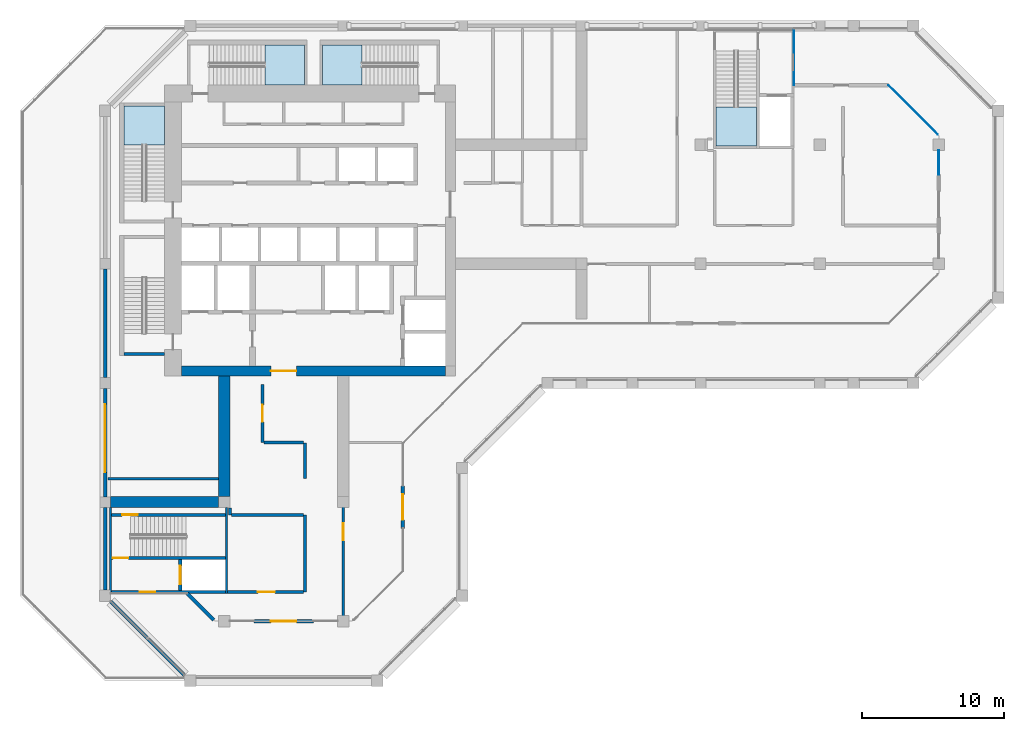
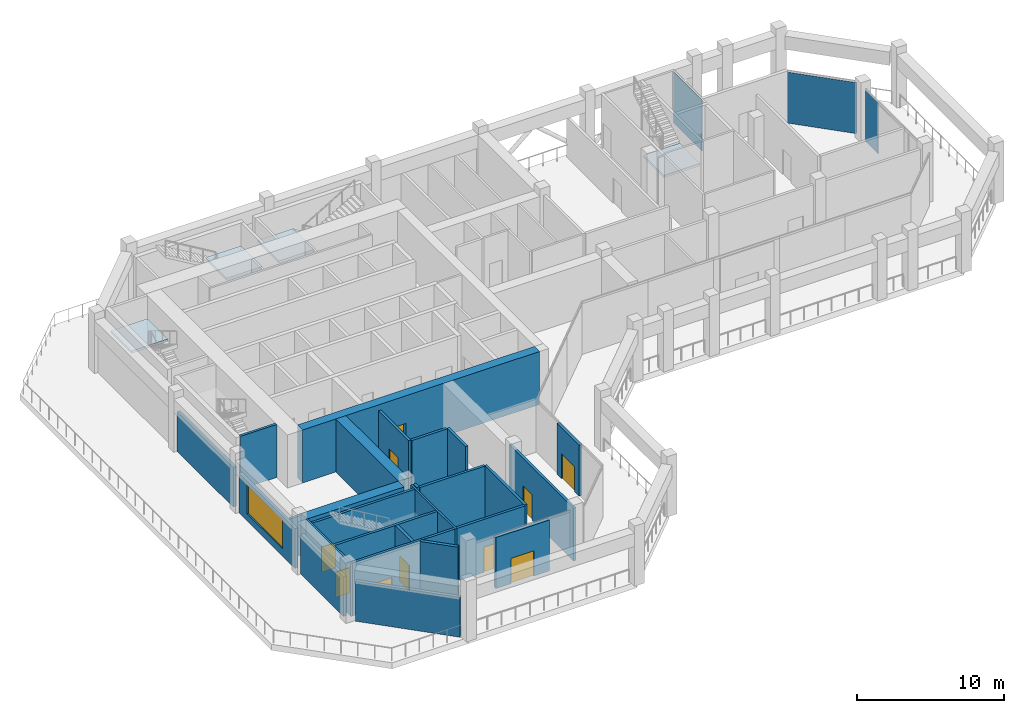
# One storey, part 6 of 16: 26 walls, 10 doors, 4 slabs, 3 plates, 1 window, 11 openings, 7 elements without a shape of their own.
"""IFC4 building model written with IfcOpenShell, lengths in metres."""

from ifc_helpers import new_model, si_unit, direction, frame, frame_2d, origin, origin_2d, place, context, subcontext, project, spatial, polyline, rectangle, outline, extrude, material, layer, layer_set, type_object, element, fill, aggregate, save


model = new_model("IFC4")

# Units and contexts
model_context = context("Model", 3, precision=1e-05, world=origin(), true_north=direction((0.0, 1.0)))
body_context = subcontext(model_context, "Body", "Model", "MODEL_VIEW")
ifc_project = project(units=[si_unit("LENGTHUNIT", "METRE"), si_unit("AREAUNIT", "SQUARE_METRE"), si_unit("VOLUMEUNIT", "CUBIC_METRE"), si_unit("PLANEANGLEUNIT", "RADIAN"), si_unit("MASSUNIT", "GRAM", prefix="KILO")], contexts=[model_context])

# Site, building, storey
site_placement = place(None, origin())
site = spatial("IfcSite", under=ifc_project, at=site_placement, CompositionType="ELEMENT")
building_placement = place(site_placement, origin())
building = spatial("IfcBuilding", under=site, at=building_placement, Name="Kawkab Arch Medical Tower", CompositionType="ELEMENT")
storey_placement = place(building_placement, frame((0.0, 0.0, 272.60009765625)))
storey = spatial("IfcBuildingStorey", under=building, at=storey_placement, Name="L63", CompositionType="ELEMENT", Elevation=272.60009765625)

# Curtain wall, plate
ifc_material_1 = material(Name="Bronze anodised aluminium curtain wall frame", Category="aluminium")
ifc_layer_1 = layer(ifc_material_1, 0.159912109375)
ifc_layer_set_1 = layer_set([ifc_layer_1], Name="Bronze anodised aluminium curtain wall frame")
curtain_wall_type = type_object("IfcCurtainWallType", Name="CW4 refuge floor fire-protected glazing", PredefinedType="NOTDEFINED", material=ifc_layer_set_1)
placement_1 = place(storey_placement, origin())
curtain_wall_1 = element("IfcCurtainWall", 1, at=placement_1, inside=storey, type_object=curtain_wall_type, Name="CW4 Refuge floor fire-protected glazing R15", PredefinedType="NOTDEFINED")
ifc_material_2 = material(Name="Fire-resisting laminated glass", Category="glass")
ifc_layer_2 = layer(ifc_material_2, 0.0400390625)
ifc_layer_set_2 = layer_set([ifc_layer_2], Name="Fire-resisting laminated glass")
plate_type = type_object("IfcPlateType", Name="CW4 glazing unit 40", PredefinedType="CURTAIN_PANEL", material=ifc_layer_set_2)
plate_1_placement = place(storey_placement, frame((58.800048828125, -9.64990234375, 0.0), z_axis=(0.0, 0.0, 1.0), x_axis=(0.0, 1.0, 0.0)))
plate_1 = element("IfcPlate", 2, at=plate_1_placement, type_object=plate_type, Name="CW4 glazing unit 1.3", PredefinedType="CURTAIN_PANEL", context=body_context, shape_type="SweptSolid", body=[
    extrude(rectangle(XDim=1.699951171875, YDim=0.0400390625, at=origin_2d()), origin(), (0.0, 0.0, 1.0), 4.239990234375),
])
aggregate(curtain_wall_1, [plate_1])

curtain_wall_2 = element("IfcCurtainWall", 3, at=placement_1, inside=storey, type_object=curtain_wall_type, Name="CW4 Refuge floor fire-protected glazing R16", PredefinedType="NOTDEFINED")
plate_2_placement = place(storey_placement, frame((56.9951171875, -5.93505859375, 0.0), z_axis=(0.0, 0.0, 1.0), x_axis=(-0.707106781187, 0.707106781187, 0.0)))
plate_2 = element("IfcPlate", 4, at=plate_2_placement, type_object=plate_type, Name="CW4 glazing unit 1.1", PredefinedType="CURTAIN_PANEL", context=body_context, shape_type="SweptSolid", body=[
    extrude(rectangle(XDim=4.9072265625, YDim=0.0400390625, at=origin_2d()), origin(), (0.0, 0.0, 1.0), 4.239990234375),
])
aggregate(curtain_wall_2, [plate_2])

curtain_wall_3 = element("IfcCurtainWall", 5, at=placement_1, inside=storey, type_object=curtain_wall_type, Name="CW4 Refuge floor fire-protected glazing R18", PredefinedType="NOTDEFINED")
plate_3_placement = place(storey_placement, frame((48.60107421875, -2.25, 0.0), z_axis=(0.0, 0.0, 1.0), x_axis=(0.0, 1.0, 0.0)))
plate_3 = element("IfcPlate", 6, at=plate_3_placement, type_object=plate_type, Name="CW4 glazing unit 1.1", PredefinedType="CURTAIN_PANEL", context=body_context, shape_type="SweptSolid", body=[
    extrude(rectangle(XDim=3.89990234375, YDim=0.0400390625, at=origin_2d()), origin(), (0.0, 0.0, 1.0), 4.239990234375),
])
aggregate(curtain_wall_3, [plate_3])

# Stair, slab
ifc_material_3 = material(Name="Concrete C40/50", Category="concrete")
stair_type = type_object("IfcStairType", Name="Exit stair 1350", PredefinedType="HALF_TURN_STAIR", material=ifc_material_3)
stair_1 = element("IfcStair", 7, at=placement_1, inside=storey, type_object=stair_type, Name="L63 Exit stair ST1", PredefinedType="HALF_TURN_STAIR")
ifc_material_4 = material(Name="Concrete C40/50", Category="concrete")
ifc_layer_3 = layer(ifc_material_4, 0.199951171875)
ifc_layer_set_3 = layer_set([ifc_layer_3], Name="Concrete C40/50")
slab_type = type_object("IfcSlabType", Name="Exit stair landing 200", PredefinedType="LANDING", material=ifc_layer_set_3)
placement_2 = place(storey_placement, frame((0.0, 0.0, 2.2998046875)))
slab_1 = element("IfcSlab", 8, at=placement_2, type_object=slab_type, Name="ST1 landing 1", PredefinedType="LANDING", context=body_context, shape_type="SweptSolid", body=[
    extrude(outline(polyline([(4.199951171875, -8.429931640625), (4.199951171875, -5.64990234375), (1.35009765625, -5.64990234375), (1.35009765625, -8.429931640625), (4.199951171875, -8.429931640625)])), origin(), (0.0, 0.0, 1.0), 0.2001953125),
])
aggregate(stair_1, [slab_1])

stair_2 = element("IfcStair", 9, at=placement_1, inside=storey, type_object=stair_type, Name="L63 Exit stair ST3", PredefinedType="HALF_TURN_STAIR")
slab_2 = element("IfcSlab", 10, at=placement_2, type_object=slab_type, Name="ST3 landing 1", PredefinedType="LANDING", context=body_context, shape_type="SweptSolid", body=[
    extrude(outline(polyline([(11.27001953125, -4.199951171875), (14.050048828125, -4.199951171875), (14.050048828125, -1.35009765625), (11.27001953125, -1.35009765625), (11.27001953125, -4.199951171875)])), origin(), (0.0, 0.0, 1.0), 0.2001953125),
])
aggregate(stair_2, [slab_2])

stair_3 = element("IfcStair", 11, at=placement_1, inside=storey, type_object=stair_type, Name="L63 Exit stair ST4", PredefinedType="HALF_TURN_STAIR")
slab_3 = element("IfcSlab", 12, at=placement_2, type_object=slab_type, Name="ST4 landing 1", PredefinedType="LANDING", context=body_context, shape_type="SweptSolid", body=[
    extrude(outline(polyline([(18.1298828125, -1.35009765625), (15.35009765625, -1.35009765625), (15.35009765625, -4.199951171875), (18.1298828125, -4.199951171875), (18.1298828125, -1.35009765625)])), origin(), (0.0, 0.0, 1.0), 0.2001953125),
])
aggregate(stair_3, [slab_3])

stair_4 = element("IfcStair", 13, at=placement_1, inside=storey, type_object=stair_type, Name="L63 Exit stair ST5", PredefinedType="HALF_TURN_STAIR")
slab_4 = element("IfcSlab", 14, at=placement_2, type_object=slab_type, Name="ST5 landing 1", PredefinedType="LANDING", context=body_context, shape_type="SweptSolid", body=[
    extrude(outline(polyline([(43.10009765625, -5.719970703125), (43.10009765625, -8.5), (45.949951171875, -8.5), (45.949951171875, -5.719970703125), (43.10009765625, -5.719970703125)])), origin(), (0.0, 0.0, 1.0), 0.2001953125),
])
aggregate(stair_4, [slab_4])

# Walls
ifc_material_5 = material(Name="Concrete C40/50", Category="concrete")
ifc_layer_4 = layer(ifc_material_5, 0.800048828125)
ifc_layer_set_4 = layer_set([ifc_layer_4], Name="Concrete C40/50")
wall_type_1 = type_object("IfcWallType", Name="Belt wall 800 C40/50", PredefinedType="SHEAR", material=ifc_layer_set_4)
wall_1_placement = place(storey_placement, frame((8.39990234375, -24.699951171875, 0.0), z_axis=(0.0, 0.0, 1.0), x_axis=(0.0, -1.0, 0.0)))
element("IfcWall", 15, at=wall_1_placement, inside=storey, type_object=wall_type_1, Name="Belt wall BW-L63-5", PredefinedType="SHEAR", context=body_context, shape_type="SweptSolid", body=[
    extrude(rectangle(XDim=8.5, YDim=0.800048828125, at=frame_2d((4.25, 0.0))), origin(), (0.0, 0.0, 1.0), 4.39990234375),
])
wall_2_placement = place(storey_placement, frame((0.375, -33.60009765625, 0.0), z_axis=(0.0, 0.0, 1.0), x_axis=(1.0, 0.0, 0.0)))
element("IfcWall", 16, at=wall_2_placement, inside=storey, type_object=wall_type_1, Name="Belt wall BW-L63-7", PredefinedType="SHEAR", context=body_context, shape_type="SweptSolid", body=[
    extrude(rectangle(XDim=7.625, YDim=0.800048828125, at=frame_2d((3.8125, 0.0))), origin(), (0.0, 0.0, 1.0), 4.39990234375),
])

# Wall, opening, door
ifc_material_6 = material(Name="Concrete C50/60", Category="concrete")
ifc_layer_5 = layer(ifc_material_6, 0.699951171875)
ifc_layer_set_5 = layer_set([ifc_layer_5], Name="Concrete C50/60")
wall_type_2 = type_object("IfcWallType", Name="Core ring wall 700 C50/60", PredefinedType="SHEAR", material=ifc_layer_set_5)
wall_3_placement = place(storey_placement, frame((5.39990234375, -24.35009765625, 0.0), z_axis=(0.0, 0.0, 1.0), x_axis=(1.0, 0.0, 0.0)))
wall_3 = element("IfcWall", 17, at=wall_3_placement, inside=storey, type_object=wall_type_2, Name="L63 core wall", PredefinedType="SHEAR", context=body_context, shape_type="SweptSolid", body=[
    extrude(rectangle(XDim=18.60009765625, YDim=0.699951171875, at=frame_2d((9.300048828125, 0.0))), origin(), (0.0, 0.0, 1.0), 4.39990234375),
])
opening_1_placement = place(wall_3_placement, frame((6.300048828125, 0.0, 0.0)))
opening_1 = element("IfcOpeningElement", 18, at=opening_1_placement, cuts=wall_3, Name="Opening PD", PredefinedType="OPENING", context=body_context, shape_type="SweptSolid", body=[
    extrude(rectangle(XDim=1.800048828125, YDim=2.10009765625, at=frame_2d((0.89990234375, 1.050048828125))), frame((0.0, 0.35986328125, 0.0), z_axis=(0.0, -1.0, 0.0), x_axis=(1.0, 0.0, 0.0)), (0.0, 0.0, 1.0), 0.719970703125),
])
ifc_material_7 = material(Name="Hollow metal fire door leaf")
door_type_1 = type_object("IfcDoorType", Name="Core entrance doors 1800", OperationType="DOUBLE_DOOR_SINGLE_SWING", PredefinedType="DOOR", material=ifc_material_7)
door_1_placement = place(opening_1_placement, origin())
door_1 = element("IfcDoor", 19, at=door_1_placement, inside=storey, type_object=door_type_1, Name="L63 South entrance doors", OperationType="DOUBLE_DOOR_SINGLE_SWING", OverallHeight=2.10009765625, OverallWidth=1.800048828125, PredefinedType="DOOR", context=body_context, shape_type="SweptSolid", body=[
    extrude(rectangle(XDim=1.800048828125, YDim=2.10009765625, at=frame_2d((0.89990234375, 1.050048828125))), frame((0.0, 0.02490234375, 0.0), z_axis=(0.0, -1.0, 0.0), x_axis=(1.0, 0.0, 0.0)), (0.0, 0.0, 1.0), 0.050048828125),
])
fill(opening_1, door_1)

ifc_material_8 = material(Name="Concrete C60/75", Category="concrete")
ifc_layer_6 = layer(ifc_material_8, 0.25)
ifc_layer_set_6 = layer_set([ifc_layer_6], Name="Concrete C60/75")
wall_type_3 = type_object("IfcWallType", Name="Core shear wall 250 C60/75", PredefinedType="SHEAR", material=ifc_layer_set_6)
wall_4_placement = place(storey_placement, frame((5.300048828125, -39.85009765625, 0.0), z_axis=(0.0, 0.0, 1.0), x_axis=(0.0, 1.0, 0.0)))
wall_4 = element("IfcWall", 20, at=wall_4_placement, inside=storey, type_object=wall_type_3, Name="L63 core shear wall", PredefinedType="SHEAR", context=body_context, shape_type="SweptSolid", body=[
    extrude(rectangle(XDim=2.2001953125, YDim=0.25, at=frame_2d((1.10009765625, 0.0))), origin(), (0.0, 0.0, 1.0), 4.39990234375),
])
opening_2_placement = place(wall_4_placement, frame((0.449951171875, 0.0, 0.0)))
opening_2 = element("IfcOpeningElement", 21, at=opening_2_placement, cuts=wall_4, Name="Opening LD2", PredefinedType="OPENING", context=body_context, shape_type="SweptSolid", body=[
    extrude(rectangle(XDim=1.300048828125, YDim=2.10009765625, at=frame_2d((0.64990234375, 1.050048828125))), frame((0.0, 0.135009765625, 0.0), z_axis=(0.0, -1.0, 0.0), x_axis=(1.0, 0.0, 0.0)), (0.0, 0.0, 1.0), 0.27001953125),
])
ifc_material_9 = material(Name="Stainless steel lift door leaf", Category="steel")
door_type_2 = type_object("IfcDoorType", Name="Lift landing door 1300", OperationType="DOUBLE_DOOR_SLIDING", PredefinedType="DOOR", material=ifc_material_9)
door_2_placement = place(opening_2_placement, origin())
door_2 = element("IfcDoor", 22, at=door_2_placement, inside=storey, type_object=door_type_2, Name="L63 Lift landing door SV2", OperationType="DOUBLE_DOOR_SLIDING", OverallHeight=2.10009765625, OverallWidth=1.300048828125, PredefinedType="DOOR", context=body_context, shape_type="SweptSolid", body=[
    extrude(rectangle(XDim=1.300048828125, YDim=2.10009765625, at=frame_2d((0.64990234375, 1.050048828125))), frame((0.0, 0.02490234375, 0.0), z_axis=(0.0, -1.0, 0.0), x_axis=(1.0, 0.0, 0.0)), (0.0, 0.0, 1.0), 0.050048828125),
])
fill(opening_2, door_2)

# Wall
ifc_material_10 = material(Name="Bronze clad insulated wall panel")
ifc_layer_7 = layer(ifc_material_10, 0.25)
ifc_layer_set_7 = layer_set([ifc_layer_7], Name="Bronze clad insulated wall panel")
wall_type_4 = type_object("IfcWallType", Name="External wall bay 250", PredefinedType="SOLIDWALL", material=ifc_layer_set_7)
wall_5_placement = place(storey_placement, frame((0.0, -17.175048828125, 0.0), z_axis=(0.0, 0.0, 1.0), x_axis=(0.0, -1.0, 0.0)))
element("IfcWall", 23, at=wall_5_placement, inside=storey, type_object=wall_type_4, Name="Plant wall L63.R02.2", PredefinedType="SOLIDWALL", context=body_context, shape_type="SweptSolid", body=[
    extrude(rectangle(XDim=7.64990234375, YDim=0.25, at=frame_2d((3.824951171875, 0.0))), origin(), (0.0, 0.0, 1.0), 3.2998046875),
])

# Wall, opening, window
wall_6_placement = place(storey_placement, frame((0.0, -25.574951171875, 0.0), z_axis=(0.0, 0.0, 1.0), x_axis=(0.0, -1.0, 0.0)))
wall_6 = element("IfcWall", 24, at=wall_6_placement, inside=storey, type_object=wall_type_4, Name="Plant wall L63.R02.3", PredefinedType="SOLIDWALL", context=body_context, shape_type="SweptSolid", body=[
    extrude(rectangle(XDim=7.650146484375, YDim=0.25, at=frame_2d((3.8251953125, 0.0))), origin(), (0.0, 0.0, 1.0), 3.2998046875),
])
opening_3_placement = place(wall_6_placement, frame((1.125, 0.0, 0.60009765625)))
opening_3 = element("IfcOpeningElement", 25, at=opening_3_placement, cuts=wall_6, Name="Opening PW480-24-S6", PredefinedType="OPENING", context=body_context, shape_type="SweptSolid", body=[
    extrude(rectangle(XDim=4.800048828125, YDim=2.39990234375, at=frame_2d((2.39990234375, 1.199951171875))), frame((0.0, 0.135009765625, 0.0), z_axis=(0.0, -1.0, 0.0), x_axis=(1.0, 0.0, 0.0)), (0.0, 0.0, 1.0), 0.27001953125),
])
ifc_material_11 = material(Name="Bronze anodised aluminium louvred window", Category="aluminium")
window_type = type_object("IfcWindowType", Name="Plant louvre window 4800 x 2400 sill 600", PartitioningType="DOUBLE_PANEL_VERTICAL", PredefinedType="WINDOW", material=ifc_material_11)
window_placement = place(opening_3_placement, origin())
window = element("IfcWindow", 26, at=window_placement, inside=storey, type_object=window_type, Name="Plant louvre window L63.R02.3", OverallHeight=2.39990234375, OverallWidth=4.800048828125, PartitioningType="SINGLE_PANEL", PredefinedType="WINDOW", context=body_context, shape_type="SweptSolid", body=[
    extrude(rectangle(XDim=4.800048828125, YDim=2.39990234375, at=frame_2d((2.39990234375, 1.199951171875))), frame((0.0, 0.030029296875, 0.0), z_axis=(0.0, -1.0, 0.0), x_axis=(1.0, 0.0, 0.0)), (0.0, 0.0, 1.0), 0.06005859375),
])
fill(opening_3, window)

# Walls
wall_7_placement = place(storey_placement, frame((0.0, -33.97509765625, 0.0), z_axis=(0.0, 0.0, 1.0), x_axis=(0.0, -1.0, 0.0)))
element("IfcWall", 27, at=wall_7_placement, inside=storey, type_object=wall_type_4, Name="Plant wall L63.R02.4", PredefinedType="SOLIDWALL", context=body_context, shape_type="SweptSolid", body=[
    extrude(rectangle(XDim=5.824951171875, YDim=0.25, at=frame_2d((2.91259765625, 0.0))), origin(), (0.0, 0.0, 1.0), 3.2998046875),
])
wall_8_placement = place(storey_placement, frame((0.39990234375, -40.60009765625, 0.0), z_axis=(0.0, 0.0, 1.0), x_axis=(0.707123380132, -0.707090181851, 0.0)))
element("IfcWall", 28, at=wall_8_placement, inside=storey, type_object=wall_type_4, Name="Plant wall L63.R03.1", PredefinedType="SOLIDWALL", context=body_context, shape_type="SweptSolid", body=[
    extrude(rectangle(XDim=7.35400390625, YDim=0.25, at=frame_2d((3.677001953125, 0.0))), origin(), (0.0, 0.0, 1.0), 3.2998046875),
])
wall_9_placement = place(storey_placement, frame((5.7900390625, -40.050048828125, 0.0), z_axis=(0.0, 0.0, 1.0), x_axis=(0.707106781187, -0.707106781187, 0.0)))
element("IfcWall", 29, at=wall_9_placement, inside=storey, type_object=wall_type_4, Name="Plant wall L63.R08.1", PredefinedType="SOLIDWALL", context=body_context, shape_type="SweptSolid", body=[
    extrude(rectangle(XDim=2.658447265625, YDim=0.25, at=frame_2d((1.3291015625, 0.0))), origin(), (0.0, 0.0, 1.0), 4.39990234375),
])

# Wall, opening, door
wall_10_placement = place(storey_placement, frame((10.5, -42.0009765625, 0.0), z_axis=(0.0, 0.0, 1.0), x_axis=(1.0, 0.0, 0.0)))
wall_10 = element("IfcWall", 30, at=wall_10_placement, inside=storey, type_object=wall_type_4, Name="External wall bay L63.R09.1.2", PredefinedType="SOLIDWALL", context=body_context, shape_type="SweptSolid", body=[
    extrude(rectangle(XDim=4.199951171875, YDim=0.25, at=frame_2d((2.10009765625, 0.0))), origin(), (0.0, 0.0, 1.0), 4.239990234375),
])
opening_4_placement = place(wall_10_placement, frame((1.199951171875, 0.0, 0.0)))
opening_4 = element("IfcOpeningElement", 31, at=opening_4_placement, cuts=wall_10, Name="Opening PL3-701", PredefinedType="OPENING", context=body_context, shape_type="SweptSolid", body=[
    extrude(rectangle(XDim=1.800048828125, YDim=2.10009765625, at=frame_2d((0.89990234375, 1.050048828125))), frame((0.0, 0.135009765625, 0.0), z_axis=(0.0, -1.0, 0.0), x_axis=(1.0, 0.0, 0.0)), (0.0, 0.0, 1.0), 0.27001953125),
])
ifc_material_12 = material(Name="Bronze anodised aluminium door with tinted glass", Category="aluminium")
door_type_3 = type_object("IfcDoorType", Name="Double external door 1800 x 2100", OperationType="DOUBLE_DOOR_SINGLE_SWING", PredefinedType="DOOR", material=ifc_material_12)
door_3_placement = place(opening_4_placement, origin())
door_3 = element("IfcDoor", 32, at=door_3_placement, inside=storey, type_object=door_type_3, Name="External door L63.R09.1.2", OperationType="DOUBLE_DOOR_SINGLE_SWING", OverallHeight=2.10009765625, OverallWidth=1.800048828125, PredefinedType="DOOR", context=body_context, shape_type="SweptSolid", body=[
    extrude(rectangle(XDim=1.800048828125, YDim=2.10009765625, at=frame_2d((0.89990234375, 1.050048828125))), frame((0.0, 0.02490234375, 0.0), z_axis=(0.0, -1.0, 0.0), x_axis=(1.0, 0.0, 0.0)), (0.0, 0.0, 1.0), 0.050048828125),
])
fill(opening_4, door_3)

wall_11_placement = place(storey_placement, frame((21.0, -35.4599609375, 0.0), z_axis=(0.0, 0.0, 1.0), x_axis=(0.0, 1.0, 0.0)))
wall_11 = element("IfcWall", 33, at=wall_11_placement, inside=storey, type_object=wall_type_4, Name="External wall bay L63.R11.2.1", PredefinedType="SOLIDWALL", context=body_context, shape_type="SweptSolid", body=[
    extrude(rectangle(XDim=3.0, YDim=0.25, at=frame_2d((1.5, 0.0))), origin(), (0.0, 0.0, 1.0), 4.239990234375),
])
opening_5_placement = place(wall_11_placement, frame((0.60009765625, 0.0, 0.0)))
opening_5 = element("IfcOpeningElement", 34, at=opening_5_placement, cuts=wall_11, Name="Opening PL3-701", PredefinedType="OPENING", context=body_context, shape_type="SweptSolid", body=[
    extrude(rectangle(XDim=1.800048828125, YDim=2.10009765625, at=frame_2d((0.89990234375, 1.050048828125))), frame((0.0, 0.135009765625, 0.0), z_axis=(0.0, -1.0, 0.0), x_axis=(1.0, 0.0, 0.0)), (0.0, 0.0, 1.0), 0.27001953125),
])
door_4_placement = place(opening_5_placement, origin())
door_4 = element("IfcDoor", 35, at=door_4_placement, inside=storey, type_object=door_type_3, Name="External door L63.R11.2.1", OperationType="DOUBLE_DOOR_SINGLE_SWING", OverallHeight=2.10009765625, OverallWidth=1.800048828125, PredefinedType="DOOR", context=body_context, shape_type="SweptSolid", body=[
    extrude(rectangle(XDim=1.800048828125, YDim=2.10009765625, at=frame_2d((0.89990234375, 1.050048828125))), frame((0.0, 0.02490234375, 0.0), z_axis=(0.0, -1.0, 0.0), x_axis=(1.0, 0.0, 0.0)), (0.0, 0.0, 1.0), 0.050048828125),
])
fill(opening_5, door_4)

ifc_material_13 = material(Name="Fire-rated gypsum board partition on steel studs", Category="steel")
ifc_layer_8 = layer(ifc_material_13, 0.199951171875)
ifc_layer_set_8 = layer_set([ifc_layer_8], Name="Fire-rated gypsum board partition on steel studs")
wall_type_5 = type_object("IfcWallType", Name="Protected partition 200", PredefinedType="PARTITIONING", material=ifc_layer_set_8)
wall_12_placement = place(storey_placement, frame((8.64990234375, -39.949951171875, 0.0), z_axis=(0.0, 0.0, 1.0), x_axis=(1.0, 0.0, 0.0)))
wall_12 = element("IfcWall", 36, at=wall_12_placement, inside=storey, type_object=wall_type_5, Name="Protected partition 200 w016", PredefinedType="PARTITIONING", context=body_context, shape_type="SweptSolid", body=[
    extrude(rectangle(XDim=5.34912109375, YDim=0.199951171875, at=frame_2d((2.674560546875, 0.0))), origin(), (0.0, 0.0, 1.0), 4.39990234375),
])
opening_6_placement = place(wall_12_placement, frame((2.125, 0.0, 0.0)))
opening_6 = element("IfcOpeningElement", 37, at=opening_6_placement, cuts=wall_12, Name="Opening PL3-009", PredefinedType="OPENING", context=body_context, shape_type="SweptSolid", body=[
    extrude(rectangle(XDim=1.199951171875, YDim=2.10009765625, at=frame_2d((0.60009765625, 1.050048828125))), frame((0.0, 0.10986328125, 0.0), z_axis=(0.0, -1.0, 0.0), x_axis=(1.0, 0.0, 0.0)), (0.0, 0.0, 1.0), 0.219970703125),
])
ifc_material_14 = material(Name="Hollow metal door leaf")
door_type_4 = type_object("IfcDoorType", Name="Single door 1200x2100 FD60", OperationType="NOTDEFINED", PredefinedType="DOOR", material=ifc_material_14)
door_5_placement = place(opening_6_placement, origin())
door_5 = element("IfcDoor", 38, at=door_5_placement, inside=storey, type_object=door_type_4, Name="Door PL3-009", OperationType="SINGLE_SWING_RIGHT", OverallHeight=2.10009765625, OverallWidth=1.199951171875, PredefinedType="DOOR", context=body_context, shape_type="SweptSolid", body=[
    extrude(rectangle(XDim=1.199951171875, YDim=2.10009765625, at=frame_2d((0.60009765625, 1.050048828125))), frame((0.0, 0.02490234375, 0.0), z_axis=(0.0, -1.0, 0.0), x_axis=(1.0, 0.0, 0.0)), (0.0, 0.0, 1.0), 0.050048828125),
])
fill(opening_6, door_5)

# Walls
wall_13_placement = place(storey_placement, frame((8.89990234375, -34.5, 0.0), z_axis=(0.0, 0.0, 1.0), x_axis=(1.0, 0.0, 0.0)))
element("IfcWall", 39, at=wall_13_placement, inside=storey, type_object=wall_type_5, Name="Protected partition 200 w017", PredefinedType="PARTITIONING", context=body_context, shape_type="SweptSolid", body=[
    extrude(rectangle(XDim=5.09912109375, YDim=0.199951171875, at=frame_2d((2.549560546875, 0.0))), origin(), (0.0, 0.0, 1.0), 4.39990234375),
])
wall_14_placement = place(storey_placement, frame((0.199951171875, -31.95703125, 0.0), z_axis=(0.0, 0.0, 1.0), x_axis=(1.0, 0.0, 0.0)))
element("IfcWall", 40, at=wall_14_placement, inside=storey, type_object=wall_type_5, Name="Protected partition 200 w018", PredefinedType="PARTITIONING", context=body_context, shape_type="SweptSolid", body=[
    extrude(rectangle(XDim=7.801025390625, YDim=0.199951171875, at=frame_2d((3.900390625, 0.0))), origin(), (0.0, 0.0, 1.0), 3.2998046875),
])
wall_15_placement = place(storey_placement, frame((11.199951171875, -29.39990234375, 0.0), z_axis=(0.0, 0.0, 1.0), x_axis=(1.0, 0.0, 0.0)))
element("IfcWall", 41, at=wall_15_placement, inside=storey, type_object=wall_type_5, Name="Protected partition 200 w019", PredefinedType="PARTITIONING", context=body_context, shape_type="SweptSolid", body=[
    extrude(rectangle(XDim=2.780029296875, YDim=0.199951171875, at=frame_2d((1.39013671875, 0.0))), origin(), (0.0, 0.0, 1.0), 4.39990234375),
])
wall_16_placement = place(storey_placement, frame((8.800048828125, -34.5, 0.0), z_axis=(0.0, 0.0, 1.0), x_axis=(0.0, 1.0, 0.0)))
element("IfcWall", 42, at=wall_16_placement, inside=storey, type_object=wall_type_5, Name="Protected partition 200 w024", PredefinedType="PARTITIONING", context=body_context, shape_type="SweptSolid", body=[
    extrude(rectangle(XDim=0.4970703125, YDim=0.199951171875, at=frame_2d((0.24853515625, 0.0))), origin(), (0.0, 0.0, 1.0), 4.39990234375),
])

# Wall, opening, door
wall_17_placement = place(storey_placement, frame((11.10009765625, -29.39990234375, 0.0), z_axis=(0.0, 0.0, 1.0), x_axis=(0.0, 1.0, 0.0)))
wall_17 = element("IfcWall", 43, at=wall_17_placement, inside=storey, type_object=wall_type_5, Name="Protected partition 200 w025", PredefinedType="PARTITIONING", context=body_context, shape_type="SweptSolid", body=[
    extrude(rectangle(XDim=4.099853515625, YDim=0.199951171875, at=frame_2d((2.0498046875, 0.0))), origin(), (0.0, 0.0, 1.0), 4.39990234375),
])
opening_7_placement = place(wall_17_placement, frame((1.449951171875, 0.0, 0.0)))
opening_7 = element("IfcOpeningElement", 44, at=opening_7_placement, cuts=wall_17, Name="Opening PL3-011", PredefinedType="OPENING", context=body_context, shape_type="SweptSolid", body=[
    extrude(rectangle(XDim=1.199951171875, YDim=2.10009765625, at=frame_2d((0.60009765625, 1.050048828125))), frame((0.0, 0.10986328125, 0.0), z_axis=(0.0, -1.0, 0.0), x_axis=(1.0, 0.0, 0.0)), (0.0, 0.0, 1.0), 0.219970703125),
])
ifc_material_15 = material(Name="Hollow metal door leaf")
door_type_5 = type_object("IfcDoorType", Name="Single door 1200x2100 FD90", OperationType="NOTDEFINED", PredefinedType="DOOR", material=ifc_material_15)
door_6_placement = place(opening_7_placement, origin())
door_6 = element("IfcDoor", 45, at=door_6_placement, inside=storey, type_object=door_type_5, Name="Door PL3-011", OperationType="SINGLE_SWING_LEFT", OverallHeight=2.10009765625, OverallWidth=1.199951171875, PredefinedType="DOOR", context=body_context, shape_type="SweptSolid", body=[
    extrude(rectangle(XDim=1.199951171875, YDim=2.10009765625, at=frame_2d((0.60009765625, 1.050048828125))), frame((0.0, 0.02490234375, 0.0), z_axis=(0.0, -1.0, 0.0), x_axis=(1.0, 0.0, 0.0)), (0.0, 0.0, 1.0), 0.050048828125),
])
fill(opening_7, door_6)

# Walls
wall_18_placement = place(storey_placement, frame((14.10009765625, -39.947998046875, 0.0), z_axis=(0.0, 0.0, 1.0), x_axis=(0.0, 1.0, 0.0)))
element("IfcWall", 46, at=wall_18_placement, inside=storey, type_object=wall_type_5, Name="Protected partition 200 w026", PredefinedType="PARTITIONING", context=body_context, shape_type="SweptSolid", body=[
    extrude(rectangle(XDim=5.446044921875, YDim=0.199951171875, at=frame_2d((2.72314453125, 0.0))), origin(), (0.0, 0.0, 1.0), 4.39990234375),
])
wall_19_placement = place(storey_placement, frame((14.10009765625, -31.93701171875, 0.0), z_axis=(0.0, 0.0, 1.0), x_axis=(0.0, 1.0, 0.0)))
element("IfcWall", 47, at=wall_19_placement, inside=storey, type_object=wall_type_5, Name="Protected partition 200 w027", PredefinedType="PARTITIONING", context=body_context, shape_type="SweptSolid", body=[
    extrude(rectangle(XDim=2.51708984375, YDim=0.199951171875, at=frame_2d((1.258544921875, 0.0))), origin(), (0.0, 0.0, 1.0), 4.39990234375),
])

# Wall, opening, door
wall_20_placement = place(storey_placement, frame((16.800048828125, -41.9208984375, 0.0), z_axis=(0.0, 0.0, 1.0), x_axis=(0.0, 1.0, 0.0)))
wall_20 = element("IfcWall", 48, at=wall_20_placement, inside=storey, type_object=wall_type_5, Name="Protected partition 200 w028", PredefinedType="PARTITIONING", context=body_context, shape_type="SweptSolid", body=[
    extrude(rectangle(XDim=8.720947265625, YDim=0.199951171875, at=frame_2d((4.3603515625, 0.0))), origin(), (0.0, 0.0, 1.0), 4.39990234375),
])
opening_8_placement = place(wall_20_placement, frame((5.6201171875, 0.0, 0.0)))
opening_8 = element("IfcOpeningElement", 49, at=opening_8_placement, cuts=wall_20, Name="Opening PL3-010", PredefinedType="OPENING", context=body_context, shape_type="SweptSolid", body=[
    extrude(rectangle(XDim=1.199951171875, YDim=2.10009765625, at=frame_2d((0.60009765625, 1.050048828125))), frame((0.0, 0.10986328125, 0.0), z_axis=(0.0, -1.0, 0.0), x_axis=(1.0, 0.0, 0.0)), (0.0, 0.0, 1.0), 0.219970703125),
])
door_7_placement = place(opening_8_placement, origin())
door_7 = element("IfcDoor", 50, at=door_7_placement, inside=storey, type_object=door_type_4, Name="Door PL3-010", OperationType="SINGLE_SWING_LEFT", OverallHeight=2.10009765625, OverallWidth=1.199951171875, PredefinedType="DOOR", context=body_context, shape_type="SweptSolid", body=[
    extrude(rectangle(XDim=1.199951171875, YDim=2.10009765625, at=frame_2d((0.60009765625, 1.050048828125))), frame((0.0, 0.02490234375, 0.0), z_axis=(0.0, -1.0, 0.0), x_axis=(1.0, 0.0, 0.0)), (0.0, 0.0, 1.0), 0.050048828125),
])
fill(opening_8, door_7)

# Walls
ifc_material_16 = material(Name="Concrete C50/60", Category="concrete")
ifc_layer_9 = layer(ifc_material_16, 0.14990234375)
ifc_layer_set_9 = layer_set([ifc_layer_9], Name="Concrete C50/60")
wall_type_6 = type_object("IfcWallType", Name="Stair enclosure wall 150 C50/60", PredefinedType="SHEAR", material=ifc_layer_set_9)
wall_21_placement = place(storey_placement, frame((0.375, -40.050048828125, 0.0), z_axis=(0.0, 0.0, 1.0), x_axis=(0.0, 1.0, 0.0)))
element("IfcWall", 51, at=wall_21_placement, inside=storey, type_object=wall_type_6, Name="L63 stair enclosure wall", PredefinedType="SHEAR", context=body_context, shape_type="SweptSolid", body=[
    extrude(rectangle(XDim=6.074951171875, YDim=0.14990234375, at=frame_2d((3.03759765625, 0.0))), origin(), (0.0, 0.0, 1.0), 4.39990234375),
])
wall_22_placement = place(storey_placement, frame((8.574951171875, -40.050048828125, 0.0), z_axis=(0.0, 0.0, 1.0), x_axis=(0.0, 1.0, 0.0)))
element("IfcWall", 52, at=wall_22_placement, inside=storey, type_object=wall_type_6, Name="L63 stair enclosure wall", PredefinedType="SHEAR", context=body_context, shape_type="SweptSolid", body=[
    extrude(rectangle(XDim=6.050048828125, YDim=0.14990234375, at=frame_2d((3.02490234375, 0.0))), origin(), (0.0, 0.0, 1.0), 4.39990234375),
])
ifc_material_17 = material(Name="Concrete C50/60", Category="concrete")
ifc_layer_10 = layer(ifc_material_17, 0.199951171875)
ifc_layer_set_10 = layer_set([ifc_layer_10], Name="Concrete C50/60")
wall_type_7 = type_object("IfcWallType", Name="Stair enclosure wall 200 C50/60", PredefinedType="SHEAR", material=ifc_layer_set_10)
wall_23_placement = place(storey_placement, frame((1.35009765625, -23.14990234375, 0.0), z_axis=(0.0, 0.0, 1.0), x_axis=(1.0, 0.0, 0.0)))
element("IfcWall", 53, at=wall_23_placement, inside=storey, type_object=wall_type_7, Name="L63 stair enclosure wall", PredefinedType="SHEAR", context=body_context, shape_type="SweptSolid", body=[
    extrude(rectangle(XDim=2.849853515625, YDim=0.199951171875, at=frame_2d((1.4248046875, 0.0))), origin(), (0.0, 0.0, 1.0), 4.39990234375),
])

# Wall, opening, door
wall_24_placement = place(storey_placement, frame((0.449951171875, -34.5, 0.0), z_axis=(0.0, 0.0, 1.0), x_axis=(1.0, 0.0, 0.0)))
wall_24 = element("IfcWall", 54, at=wall_24_placement, inside=storey, type_object=wall_type_7, Name="L63 stair enclosure wall", PredefinedType="SHEAR", context=body_context, shape_type="SweptSolid", body=[
    extrude(rectangle(XDim=8.050048828125, YDim=0.199951171875, at=frame_2d((4.02490234375, 0.0))), origin(), (0.0, 0.0, 1.0), 4.39990234375),
])
opening_9_placement = place(wall_24_placement, frame((0.75, 0.0, 0.0)))
opening_9 = element("IfcOpeningElement", 55, at=opening_9_placement, cuts=wall_24, Name="Opening SD", PredefinedType="OPENING", context=body_context, shape_type="SweptSolid", body=[
    extrude(rectangle(XDim=1.10009765625, YDim=2.10009765625, at=frame_2d((0.550048828125, 1.050048828125))), frame((0.0, 0.10986328125, 0.0), z_axis=(0.0, -1.0, 0.0), x_axis=(1.0, 0.0, 0.0)), (0.0, 0.0, 1.0), 0.219970703125),
])
ifc_material_18 = material(Name="Hollow metal fire door leaf")
door_type_6 = type_object("IfcDoorType", Name="Exit stair door 1100", OperationType="SINGLE_SWING_LEFT", PredefinedType="DOOR", material=ifc_material_18)
door_8_placement = place(opening_9_placement, origin())
door_8 = element("IfcDoor", 56, at=door_8_placement, inside=storey, type_object=door_type_6, Name="L63 Exit stair ST6 door", OperationType="SINGLE_SWING_LEFT", OverallHeight=2.10009765625, OverallWidth=1.10009765625, PredefinedType="DOOR", context=body_context, shape_type="SweptSolid", body=[
    extrude(rectangle(XDim=1.10009765625, YDim=2.10009765625, at=frame_2d((0.550048828125, 1.050048828125))), frame((0.0, 0.02490234375, 0.0), z_axis=(0.0, -1.0, 0.0), x_axis=(1.0, 0.0, 0.0)), (0.0, 0.0, 1.0), 0.050048828125),
])
fill(opening_9, door_8)

wall_25_placement = place(storey_placement, frame((0.449951171875, -37.550048828125, 0.0), z_axis=(0.0, 0.0, 1.0), x_axis=(1.0, 0.0, 0.0)))
wall_25 = element("IfcWall", 57, at=wall_25_placement, inside=storey, type_object=wall_type_7, Name="L63 stair enclosure wall", PredefinedType="SHEAR", context=body_context, shape_type="SweptSolid", body=[
    extrude(rectangle(XDim=8.050048828125, YDim=0.199951171875, at=frame_2d((4.02490234375, 0.0))), origin(), (0.0, 0.0, 1.0), 4.39990234375),
])
opening_10_placement = place(wall_25_placement, frame((0.10009765625, 0.0, 0.0)))
opening_10 = element("IfcOpeningElement", 58, at=opening_10_placement, cuts=wall_25, Name="Opening SD", PredefinedType="OPENING", context=body_context, shape_type="SweptSolid", body=[
    extrude(rectangle(XDim=1.10009765625, YDim=2.10009765625, at=frame_2d((0.550048828125, 1.050048828125))), frame((0.0, 0.10986328125, 0.0), z_axis=(0.0, -1.0, 0.0), x_axis=(1.0, 0.0, 0.0)), (0.0, 0.0, 1.0), 0.219970703125),
])
door_9_placement = place(opening_10_placement, frame((1.10009765625, 0.0, 0.0), z_axis=(0.0, 0.0, 1.0), x_axis=(-1.0, 0.0, 0.0)))
door_9 = element("IfcDoor", 59, at=door_9_placement, inside=storey, type_object=door_type_6, Name="L63 Exit stair ST6 lobby door", OperationType="SINGLE_SWING_LEFT", OverallHeight=2.10009765625, OverallWidth=1.10009765625, PredefinedType="DOOR", context=body_context, shape_type="SweptSolid", body=[
    extrude(rectangle(XDim=1.10009765625, YDim=2.10009765625, at=frame_2d((0.550048828125, 1.050048828125))), frame((0.0, 0.02490234375, 0.0), z_axis=(0.0, -1.0, 0.0), x_axis=(1.0, 0.0, 0.0)), (0.0, 0.0, 1.0), 0.050048828125),
])
fill(opening_10, door_9)

wall_26_placement = place(storey_placement, frame((0.449951171875, -39.949951171875, 0.0), z_axis=(0.0, 0.0, 1.0), x_axis=(1.0, 0.0, 0.0)))
wall_26 = element("IfcWall", 60, at=wall_26_placement, inside=storey, type_object=wall_type_7, Name="L63 stair enclosure wall", PredefinedType="SHEAR", context=body_context, shape_type="SweptSolid", body=[
    extrude(rectangle(XDim=8.050048828125, YDim=0.199951171875, at=frame_2d((4.02490234375, 0.0))), origin(), (0.0, 0.0, 1.0), 4.39990234375),
])
opening_11_placement = place(wall_26_placement, frame((2.0, 0.0, 0.0)))
opening_11 = element("IfcOpeningElement", 61, at=opening_11_placement, cuts=wall_26, Name="Opening FD", PredefinedType="OPENING", context=body_context, shape_type="SweptSolid", body=[
    extrude(rectangle(XDim=1.10009765625, YDim=2.10009765625, at=frame_2d((0.550048828125, 1.050048828125))), frame((0.0, 0.10986328125, 0.0), z_axis=(0.0, -1.0, 0.0), x_axis=(1.0, 0.0, 0.0)), (0.0, 0.0, 1.0), 0.219970703125),
])
ifc_material_19 = material(Name="Hollow metal fire door leaf")
door_type_7 = type_object("IfcDoorType", Name="Firefighting lobby door 1100", OperationType="SINGLE_SWING_LEFT", PredefinedType="DOOR", material=ifc_material_19)
door_10_placement = place(opening_11_placement, origin())
door_10 = element("IfcDoor", 62, at=door_10_placement, inside=storey, type_object=door_type_7, Name="L63 Service lift lobby door SV2", OperationType="SINGLE_SWING_LEFT", OverallHeight=2.10009765625, OverallWidth=1.10009765625, PredefinedType="DOOR", context=body_context, shape_type="SweptSolid", body=[
    extrude(rectangle(XDim=1.10009765625, YDim=2.10009765625, at=frame_2d((0.550048828125, 1.050048828125))), frame((0.0, 0.02490234375, 0.0), z_axis=(0.0, -1.0, 0.0), x_axis=(1.0, 0.0, 0.0)), (0.0, 0.0, 1.0), 0.050048828125),
])
fill(opening_11, door_10)

save(model, "model.ifc")
